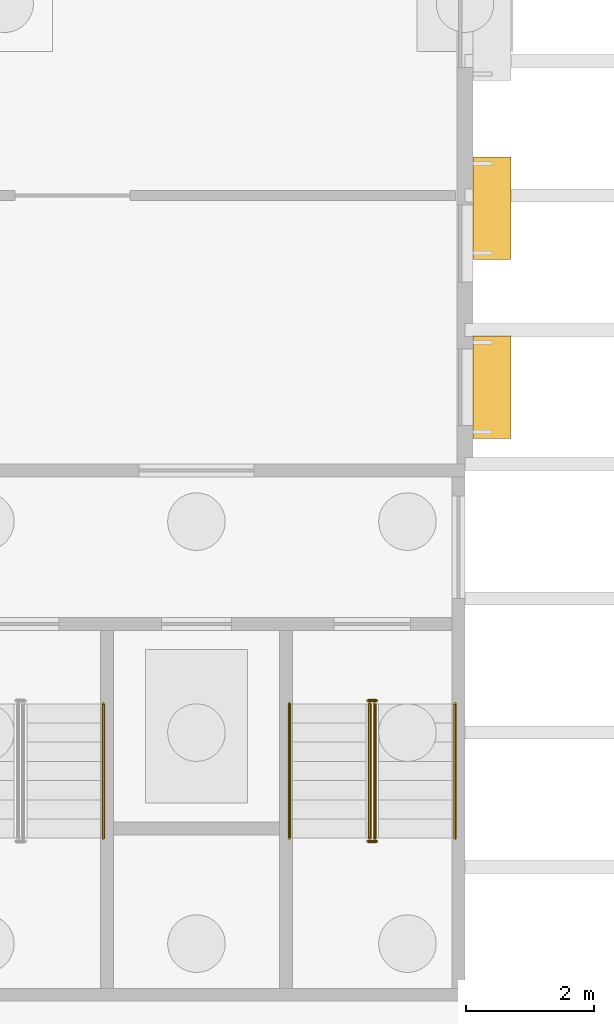
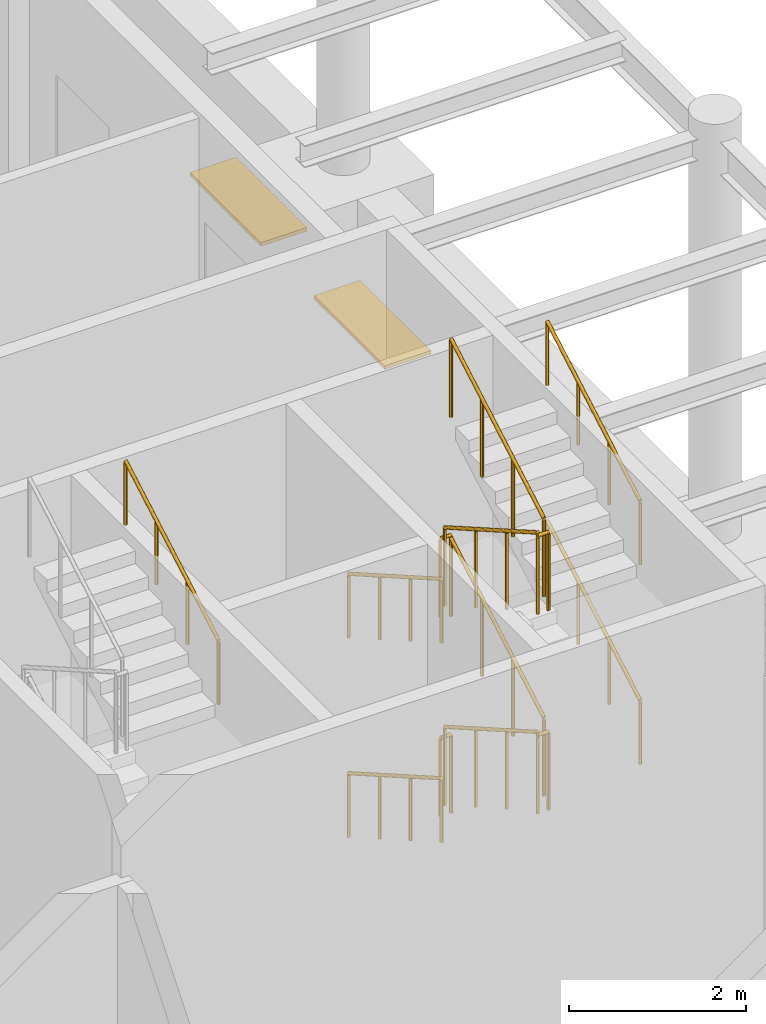
# One storey, part 56 of 82: 13 railings, 2 shading devices.
"""IFC4 building model written with IfcOpenShell, lengths in metres."""

from ifc_helpers import new_model, si_unit, direction, frame, origin, origin_2d, place, context, subcontext, project, spatial, rectangle, circle, extrude, material, material_profile, profile_set, type_object, element, save


model = new_model("IFC4")

# Units and contexts
model_context = context("Model", 3, precision=1e-05, world=origin(), true_north=direction((0.0, 1.0)))
body_context = subcontext(model_context, "Body", "Model", "MODEL_VIEW")
ifc_project = project(units=[si_unit("LENGTHUNIT", "METRE"), si_unit("AREAUNIT", "SQUARE_METRE"), si_unit("VOLUMEUNIT", "CUBIC_METRE"), si_unit("PLANEANGLEUNIT", "RADIAN"), si_unit("MASSUNIT", "GRAM", prefix="KILO")], contexts=[model_context])

# Site, building, storey
site_placement = place(None, origin())
site = spatial("IfcSite", under=ifc_project, at=site_placement, CompositionType="ELEMENT")
building_placement = place(site_placement, origin())
building = spatial("IfcBuilding", under=site, at=building_placement, Name="Almond Square Museum", CompositionType="ELEMENT")
storey_placement = place(building_placement, origin())
storey = spatial("IfcBuildingStorey", under=building, at=storey_placement, Name="L00", CompositionType="ELEMENT", Elevation=0.0)

# Railings
ifc_material_1 = material(Name="Stainless steel and laminated glass", Category="steel")
railing_type_1 = type_object("IfcRailingType", Name="Stair guard 1100 steel and glass", PredefinedType="GUARDRAIL", material=ifc_material_1)
railing_1_placement = place(storey_placement, frame((21.31005859375, 21.449951171875, 0.171875)))
element("IfcRailing", 1, at=railing_1_placement, inside=storey, type_object=railing_type_1, Name="L00 ST-22 stair guard 1", PredefinedType="GUARDRAIL", context=body_context, shape_type="SweptSolid", body=[
    extrude(circle(Radius=0.02392578125, at=origin_2d()), frame((0.0, 0.0, 1.076171875), z_axis=(0.0, -0.867671429157, 0.497138100556), x_axis=(1.0, 0.0, 0.0)), (0.0, 0.0, 1.0), 2.420166015625),
    extrude(circle(Radius=0.02099609375, at=origin_2d()), origin(), (0.0, 0.0, 1.0), 1.052001953125),
    extrude(circle(Radius=0.02099609375, at=origin_2d()), frame((0.0, -0.699951171875, 0.401123046875)), (0.0, 0.0, 1.0), 1.052001953125),
    extrude(circle(Radius=0.02099609375, at=origin_2d()), frame((0.0, -1.39990234375, 0.802001953125)), (0.0, 0.0, 1.0), 1.052001953125),
    extrude(circle(Radius=0.02099609375, at=origin_2d()), frame((0.0, -2.099853515625, 1.203125)), (0.0, 0.0, 1.0), 1.052001953125),
])
railing_2_placement = place(storey_placement, frame((21.280029296875, 19.300048828125, 1.375)))
element("IfcRailing", 2, at=railing_2_placement, inside=storey, type_object=railing_type_1, Name="L00 ST-22 stair guard 2", PredefinedType="GUARDRAIL", context=body_context, shape_type="SweptSolid", body=[
    extrude(circle(Radius=0.02392578125, at=origin_2d()), frame((0.0, 0.0, 1.076171875), z_axis=(1.0, 0.0, 0.0), x_axis=(0.0, 1.0, 0.0)), (0.0, 0.0, 1.0), 0.139892578125),
    extrude(circle(Radius=0.02099609375, at=origin_2d()), origin(), (0.0, 0.0, 1.0), 1.052001953125),
    extrude(circle(Radius=0.02099609375, at=origin_2d()), frame((0.139892578125, 0.0, 0.0)), (0.0, 0.0, 1.0), 1.052001953125),
])
railing_3_placement = place(storey_placement, frame((21.389892578125, 19.35009765625, 1.546875)))
element("IfcRailing", 3, at=railing_3_placement, inside=storey, type_object=railing_type_1, Name="L00 ST-22 stair guard 3", PredefinedType="GUARDRAIL", context=body_context, shape_type="SweptSolid", body=[
    extrude(circle(Radius=0.02392578125, at=origin_2d()), frame((0.0, 0.0, 1.076171875), z_axis=(0.0, 0.867671429157, 0.497138100556), x_axis=(-1.0, 0.0, 0.0)), (0.0, 0.0, 1.0), 2.420166015625),
    extrude(circle(Radius=0.02099609375, at=origin_2d()), origin(), (0.0, 0.0, 1.0), 1.052001953125),
    extrude(circle(Radius=0.02099609375, at=origin_2d()), frame((0.0, 0.699951171875, 0.401123046875)), (0.0, 0.0, 1.0), 1.052001953125),
    extrude(circle(Radius=0.02099609375, at=origin_2d()), frame((0.0, 1.39990234375, 0.802001953125)), (0.0, 0.0, 1.0), 1.052001953125),
    extrude(circle(Radius=0.02099609375, at=origin_2d()), frame((0.0, 2.099853515625, 1.203125)), (0.0, 0.0, 1.0), 1.052001953125),
])
railing_4_placement = place(storey_placement, frame((21.280029296875, 21.5, 2.75)))
element("IfcRailing", 4, at=railing_4_placement, inside=storey, type_object=railing_type_1, Name="L00 ST-22 stair guard 4", PredefinedType="GUARDRAIL", context=body_context, shape_type="SweptSolid", body=[
    extrude(circle(Radius=0.02392578125, at=origin_2d()), frame((0.0, 0.0, 1.076171875), z_axis=(1.0, 0.0, 0.0), x_axis=(0.0, 1.0, 0.0)), (0.0, 0.0, 1.0), 0.139892578125),
    extrude(circle(Radius=0.02099609375, at=origin_2d()), origin(), (0.0, 0.0, 1.0), 1.052001953125),
    extrude(circle(Radius=0.02099609375, at=origin_2d()), frame((0.139892578125, 0.0, 0.0)), (0.0, 0.0, 1.0), 1.052001953125),
])
railing_5_placement = place(storey_placement, frame((21.31005859375, 21.449951171875, 2.921875)))
element("IfcRailing", 5, at=railing_5_placement, inside=storey, type_object=railing_type_1, Name="L00 ST-22 stair guard 5", PredefinedType="GUARDRAIL", context=body_context, shape_type="SweptSolid", body=[
    extrude(circle(Radius=0.02392578125, at=origin_2d()), frame((0.0, 0.0, 1.076171875), z_axis=(0.0, -0.867671429157, 0.497138100556), x_axis=(1.0, 0.0, 0.0)), (0.0, 0.0, 1.0), 2.420166015625),
    extrude(circle(Radius=0.02099609375, at=origin_2d()), origin(), (0.0, 0.0, 1.0), 1.052001953125),
    extrude(circle(Radius=0.02099609375, at=origin_2d()), frame((0.0, -0.699951171875, 0.401123046875)), (0.0, 0.0, 1.0), 1.052001953125),
    extrude(circle(Radius=0.02099609375, at=origin_2d()), frame((0.0, -1.39990234375, 0.802001953125)), (0.0, 0.0, 1.0), 1.052001953125),
    extrude(circle(Radius=0.02099609375, at=origin_2d()), frame((0.0, -2.099853515625, 1.203125)), (0.0, 0.0, 1.0), 1.052001953125),
])
railing_6_placement = place(storey_placement, frame((21.280029296875, 19.300048828125, 4.125)))
element("IfcRailing", 6, at=railing_6_placement, inside=storey, type_object=railing_type_1, Name="L00 ST-22 stair guard 6", PredefinedType="GUARDRAIL", context=body_context, shape_type="SweptSolid", body=[
    extrude(circle(Radius=0.02392578125, at=origin_2d()), frame((0.0, 0.0, 1.076171875), z_axis=(1.0, 0.0, 0.0), x_axis=(0.0, 1.0, 0.0)), (0.0, 0.0, 1.0), 0.139892578125),
    extrude(circle(Radius=0.02099609375, at=origin_2d()), origin(), (0.0, 0.0, 1.0), 1.052001953125),
    extrude(circle(Radius=0.02099609375, at=origin_2d()), frame((0.139892578125, 0.0, 0.0)), (0.0, 0.0, 1.0), 1.052001953125),
])
railing_7_placement = place(storey_placement, frame((21.389892578125, 19.35009765625, 4.296875)))
element("IfcRailing", 7, at=railing_7_placement, inside=storey, type_object=railing_type_1, Name="L00 ST-22 stair guard 7", PredefinedType="GUARDRAIL", context=body_context, shape_type="SweptSolid", body=[
    extrude(circle(Radius=0.02392578125, at=origin_2d()), frame((0.0, 0.0, 1.076171875), z_axis=(0.0, 0.867671429157, 0.497138100556), x_axis=(-1.0, 0.0, 0.0)), (0.0, 0.0, 1.0), 2.420166015625),
    extrude(circle(Radius=0.02099609375, at=origin_2d()), origin(), (0.0, 0.0, 1.0), 1.052001953125),
    extrude(circle(Radius=0.02099609375, at=origin_2d()), frame((0.0, 0.699951171875, 0.401123046875)), (0.0, 0.0, 1.0), 1.052001953125),
    extrude(circle(Radius=0.02099609375, at=origin_2d()), frame((0.0, 1.39990234375, 0.802001953125)), (0.0, 0.0, 1.0), 1.052001953125),
    extrude(circle(Radius=0.02099609375, at=origin_2d()), frame((0.0, 2.099853515625, 1.203125)), (0.0, 0.0, 1.0), 1.052001953125),
])
railing_8_placement = place(storey_placement, frame((21.280029296875, 21.5, 0.0)))
element("IfcRailing", 8, at=railing_8_placement, inside=storey, type_object=railing_type_1, Name="L00 ST-22 stair guard 8", PredefinedType="GUARDRAIL", context=body_context, shape_type="SweptSolid", body=[
    extrude(circle(Radius=0.02392578125, at=origin_2d()), frame((0.0, 0.0, 1.076171875), z_axis=(1.0, 0.0, 0.0), x_axis=(0.0, 1.0, 0.0)), (0.0, 0.0, 1.0), 0.139892578125),
    extrude(circle(Radius=0.02099609375, at=origin_2d()), origin(), (0.0, 0.0, 1.0), 1.052001953125),
    extrude(circle(Radius=0.02099609375, at=origin_2d()), frame((0.139892578125, 0.0, 0.0)), (0.0, 0.0, 1.0), 1.052001953125),
])
ifc_material_2 = material(Name="Stainless steel", Category="steel")
railing_type_2 = type_object("IfcRailingType", Name="Stair handrail 900 steel", PredefinedType="HANDRAIL", material=ifc_material_2)
railing_9_placement = place(storey_placement, frame((17.14501953125, 19.35009765625, 4.296875)))
element("IfcRailing", 9, at=railing_9_placement, inside=storey, type_object=railing_type_2, Name="L00 ST-21 stair handrail 4", PredefinedType="HANDRAIL", context=body_context, shape_type="SweptSolid", body=[
    extrude(circle(Radius=0.02392578125, at=origin_2d()), frame((0.0, 0.0, 0.8759765625), z_axis=(0.0, 0.867671429157, 0.497138100556), x_axis=(-1.0, 0.0, 0.0)), (0.0, 0.0, 1.0), 2.420166015625),
    extrude(circle(Radius=0.02099609375, at=origin_2d()), origin(), (0.0, 0.0, 1.0), 0.851806640625),
    extrude(circle(Radius=0.02099609375, at=origin_2d()), frame((0.0, 0.699951171875, 0.401123046875)), (0.0, 0.0, 1.0), 0.851806640625),
    extrude(circle(Radius=0.02099609375, at=origin_2d()), frame((0.0, 1.39990234375, 0.802001953125)), (0.0, 0.0, 1.0), 0.851806640625),
    extrude(circle(Radius=0.02099609375, at=origin_2d()), frame((0.0, 2.099853515625, 1.203125)), (0.0, 0.0, 1.0), 0.851806640625),
])
railing_10_placement = place(storey_placement, frame((20.054931640625, 21.449951171875, 0.171875)))
element("IfcRailing", 10, at=railing_10_placement, inside=storey, type_object=railing_type_2, Name="L00 ST-22 stair handrail 1", PredefinedType="HANDRAIL", context=body_context, shape_type="SweptSolid", body=[
    extrude(circle(Radius=0.02392578125, at=origin_2d()), frame((0.0, 0.0, 0.8759765625), z_axis=(0.0, -0.867671429157, 0.497138100556), x_axis=(1.0, 0.0, 0.0)), (0.0, 0.0, 1.0), 2.420166015625),
    extrude(circle(Radius=0.02099609375, at=origin_2d()), origin(), (0.0, 0.0, 1.0), 0.851806640625),
    extrude(circle(Radius=0.02099609375, at=origin_2d()), frame((0.0, -0.699951171875, 0.401123046875)), (0.0, 0.0, 1.0), 0.851806640625),
    extrude(circle(Radius=0.02099609375, at=origin_2d()), frame((0.0, -1.39990234375, 0.802001953125)), (0.0, 0.0, 1.0), 0.851806640625),
    extrude(circle(Radius=0.02099609375, at=origin_2d()), frame((0.0, -2.099853515625, 1.203125)), (0.0, 0.0, 1.0), 0.851806640625),
])
railing_11_placement = place(storey_placement, frame((22.64501953125, 19.35009765625, 1.546875)))
element("IfcRailing", 11, at=railing_11_placement, inside=storey, type_object=railing_type_2, Name="L00 ST-22 stair handrail 2", PredefinedType="HANDRAIL", context=body_context, shape_type="SweptSolid", body=[
    extrude(circle(Radius=0.02392578125, at=origin_2d()), frame((0.0, 0.0, 0.8759765625), z_axis=(0.0, 0.867671429157, 0.497138100556), x_axis=(-1.0, 0.0, 0.0)), (0.0, 0.0, 1.0), 2.420166015625),
    extrude(circle(Radius=0.02099609375, at=origin_2d()), origin(), (0.0, 0.0, 1.0), 0.851806640625),
    extrude(circle(Radius=0.02099609375, at=origin_2d()), frame((0.0, 0.699951171875, 0.401123046875)), (0.0, 0.0, 1.0), 0.851806640625),
    extrude(circle(Radius=0.02099609375, at=origin_2d()), frame((0.0, 1.39990234375, 0.802001953125)), (0.0, 0.0, 1.0), 0.851806640625),
    extrude(circle(Radius=0.02099609375, at=origin_2d()), frame((0.0, 2.099853515625, 1.203125)), (0.0, 0.0, 1.0), 0.851806640625),
])
railing_12_placement = place(storey_placement, frame((20.054931640625, 21.449951171875, 2.921875)))
element("IfcRailing", 12, at=railing_12_placement, inside=storey, type_object=railing_type_2, Name="L00 ST-22 stair handrail 3", PredefinedType="HANDRAIL", context=body_context, shape_type="SweptSolid", body=[
    extrude(circle(Radius=0.02392578125, at=origin_2d()), frame((0.0, 0.0, 0.8759765625), z_axis=(0.0, -0.867671429157, 0.497138100556), x_axis=(1.0, 0.0, 0.0)), (0.0, 0.0, 1.0), 2.420166015625),
    extrude(circle(Radius=0.02099609375, at=origin_2d()), origin(), (0.0, 0.0, 1.0), 0.851806640625),
    extrude(circle(Radius=0.02099609375, at=origin_2d()), frame((0.0, -0.699951171875, 0.401123046875)), (0.0, 0.0, 1.0), 0.851806640625),
    extrude(circle(Radius=0.02099609375, at=origin_2d()), frame((0.0, -1.39990234375, 0.802001953125)), (0.0, 0.0, 1.0), 0.851806640625),
    extrude(circle(Radius=0.02099609375, at=origin_2d()), frame((0.0, -2.099853515625, 1.203125)), (0.0, 0.0, 1.0), 0.851806640625),
])
railing_13_placement = place(storey_placement, frame((22.64501953125, 19.35009765625, 4.296875)))
element("IfcRailing", 13, at=railing_13_placement, inside=storey, type_object=railing_type_2, Name="L00 ST-22 stair handrail 4", PredefinedType="HANDRAIL", context=body_context, shape_type="SweptSolid", body=[
    extrude(circle(Radius=0.02392578125, at=origin_2d()), frame((0.0, 0.0, 0.8759765625), z_axis=(0.0, 0.867671429157, 0.497138100556), x_axis=(-1.0, 0.0, 0.0)), (0.0, 0.0, 1.0), 2.420166015625),
    extrude(circle(Radius=0.02099609375, at=origin_2d()), origin(), (0.0, 0.0, 1.0), 0.851806640625),
    extrude(circle(Radius=0.02099609375, at=origin_2d()), frame((0.0, 0.699951171875, 0.401123046875)), (0.0, 0.0, 1.0), 0.851806640625),
    extrude(circle(Radius=0.02099609375, at=origin_2d()), frame((0.0, 1.39990234375, 0.802001953125)), (0.0, 0.0, 1.0), 0.851806640625),
    extrude(circle(Radius=0.02099609375, at=origin_2d()), frame((0.0, 2.099853515625, 1.203125)), (0.0, 0.0, 1.0), 0.851806640625),
])

# Shading devices
ifc_material_3 = material(Name="Anodised aluminium", Category="aluminium")
ifc_material_profile = material_profile(ifc_material_3, rectangle(XDim=0.60009765625, YDim=0.050048828125, at=origin_2d()))
ifc_profile_set = profile_set([ifc_material_profile], Name="Anodised aluminium")
shading_device_type = type_object("IfcShadingDeviceType", Name="Sun-shade blade 600 x 50", PredefinedType="USERDEFINED", material=ifc_profile_set)
shading_device_1_placement = place(storey_placement, frame((23.222900390625, 25.60009765625, 3.1201171875), z_axis=(0.0, 1.0, 0.0), x_axis=(-1.0, 0.0, 0.0)))
element("IfcShadingDevice", 14, at=shading_device_1_placement, inside=storey, type_object=shading_device_type, Name="Sun-shade blade", ObjectType="LOUVRE", PredefinedType="USERDEFINED", context=body_context, shape_type="SweptSolid", body=[
    extrude(rectangle(XDim=0.60009765625, YDim=0.050048828125, at=origin_2d()), origin(), (0.0, 0.0, 1.0), 1.599853515625),
])
shading_device_2_placement = place(storey_placement, frame((23.222900390625, 28.39990234375, 3.1201171875), z_axis=(0.0, 1.0, 0.0), x_axis=(-1.0, 0.0, 0.0)))
element("IfcShadingDevice", 15, at=shading_device_2_placement, inside=storey, type_object=shading_device_type, Name="Sun-shade blade", ObjectType="LOUVRE", PredefinedType="USERDEFINED", context=body_context, shape_type="SweptSolid", body=[
    extrude(rectangle(XDim=0.60009765625, YDim=0.050048828125, at=origin_2d()), origin(), (0.0, 0.0, 1.0), 1.60009765625),
])

save(model, "model.ifc")
